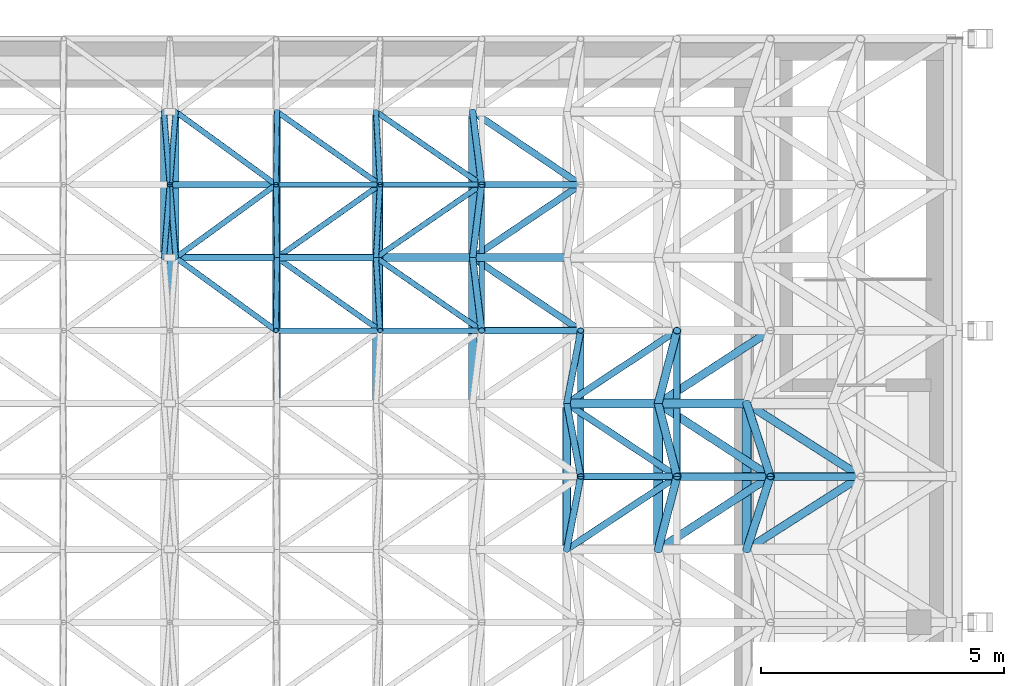
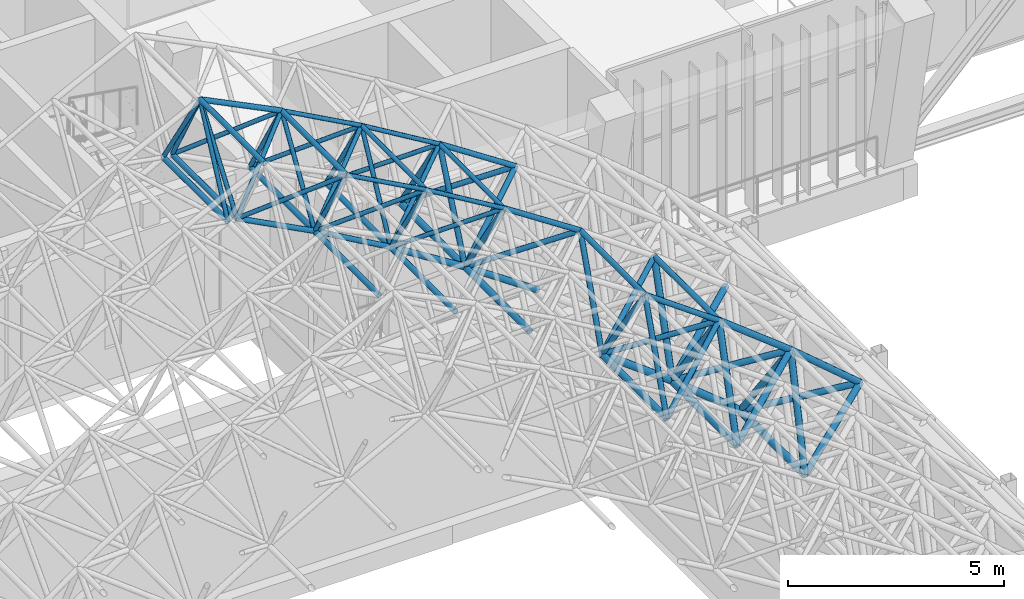
# One storey, part 27 of 141: 74 members.
"""IFC4 building model written with IfcOpenShell, lengths in metres."""

import ifcopenshell
import ifcopenshell.guid

model = None  # the IFC model being written
_history = None  # IfcOwnerHistory: only IFC2X3 demands one
_inside = {}  # id of a spatial element -> (the spatial element, [elements in it])
_under = {}  # id of a project, library or spatial element -> (it, [spatial elements below it])
_declared = {}  # id of a project -> (the project, [libraries it declares])
_typed = {}  # id of a type object -> (the type object, [elements of that type])
_made_of = {}  # id of a material, layer set ... -> (it, [elements and type objects made of it])


def new_model(schema):
    """Start an empty IFC model of exactly this schema.

    Asked for "IFC4X3", IfcOpenShell would pick the latest addendum, in which some entities
    have other attributes; the version numbers below select the first issue.
    IFC2X3 requires an IfcOwnerHistory on every rooted entity: one is made here for all.
    """
    global model, _history
    if schema == "IFC4X3":
        model = ifcopenshell.file(schema_version=(4, 3, 0, 0))
    else:
        model = ifcopenshell.file(schema=schema)
    _inside.clear()
    _under.clear()
    _declared.clear()
    _typed.clear()
    _made_of.clear()
    _history = None
    if model.schema == "IFC2X3":
        org = make("IfcOrganization", Name="unknown")
        user = make(
            "IfcPersonAndOrganization",
            ThePerson=make("IfcPerson", FamilyName="unknown"),
            TheOrganization=org,
        )
        app = make(
            "IfcApplication",
            ApplicationDeveloper=org,
            Version="unknown",
            ApplicationFullName="unknown",
            ApplicationIdentifier="unknown",
        )
        _history = make(
            "IfcOwnerHistory",
            OwningUser=user,
            OwningApplication=app,
            ChangeAction="ADDED",
            CreationDate=0,
        )
    return model


def make(cls, **values):
    """One entity of the class cls with the attributes given. An attribute that is None is left unset."""
    return model.create_entity(
        cls, **{name: value for name, value in values.items() if value is not None}
    )


def rooted(cls, **values):
    """An entity with a GlobalId (a new one), such as an element, a storey or a relation."""
    return make(cls, GlobalId=ifcopenshell.guid.new(), OwnerHistory=_history, **values)


def si_unit(unit_type, name, prefix=None):
    """IfcSIUnit, for example si_unit("LENGTHUNIT", "METRE", prefix="MILLI")."""
    return make("IfcSIUnit", UnitType=unit_type, Prefix=prefix, Name=name)


def assignment(units):
    """IfcUnitAssignment: the units of a project."""
    return None if units is None else make("IfcUnitAssignment", Units=units)


def point(xyz):
    """IfcCartesianPoint."""
    return None if xyz is None else make("IfcCartesianPoint", Coordinates=xyz)


def direction(xyz):
    """IfcDirection."""
    return None if xyz is None else make("IfcDirection", DirectionRatios=xyz)


def frame(location, z_axis=None, x_axis=None):
    """IfcAxis2Placement3D, a coordinate frame: its origin and axes. An axis left out is left unset."""
    return make(
        "IfcAxis2Placement3D",
        Location=point(location),
        Axis=direction(z_axis),
        RefDirection=direction(x_axis),
    )


def frame_2d(location, x_axis=None):
    """IfcAxis2Placement2D, a coordinate frame in the plane: its origin and x axis."""
    return make(
        "IfcAxis2Placement2D", Location=point(location), RefDirection=direction(x_axis)
    )


def origin():
    """The frame at (0, 0, 0) with its axes left unset."""
    return frame((0.0, 0.0, 0.0))


def origin_2d():
    """The frame at (0, 0) in the plane with its x axis left unset."""
    return frame_2d((0.0, 0.0))


def place(relative_to, where):
    """IfcLocalPlacement: puts the frame where relative to a parent placement (None: the world)."""
    return make(
        "IfcLocalPlacement", PlacementRelTo=relative_to, RelativePlacement=where
    )


def context(
    kind, dimensions, precision=None, world=None, true_north=None, identifier=None
):
    """IfcGeometricRepresentationContext, for example the 3D "Model" context."""
    return make(
        "IfcGeometricRepresentationContext",
        ContextIdentifier=identifier,
        ContextType=kind,
        CoordinateSpaceDimension=dimensions,
        Precision=precision,
        WorldCoordinateSystem=world,
        TrueNorth=true_north,
    )


def subcontext(parent, identifier, kind, view, scale=None):
    """IfcGeometricRepresentationSubContext, for example "Body" below "Model"."""
    return make(
        "IfcGeometricRepresentationSubContext",
        ContextIdentifier=identifier,
        ContextType=kind,
        ParentContext=parent,
        TargetScale=scale,
        TargetView=view,
    )


def project(units=None, contexts=None):
    """IfcProject with its units and contexts."""
    return rooted(
        "IfcProject",
        Name="project",
        RepresentationContexts=contexts,
        UnitsInContext=assignment(units),
    )


def spatial(cls, under=None, at=None, **own):
    """A site, building, storey or space (cls), placed at a placement, below another one or the project."""
    s = rooted(cls, ObjectPlacement=at, **own)
    if under is not None:
        _under.setdefault(under.id(), (under, []))[1].append(s)
    return s


def profile(cls, at=None, kind="AREA", **sizes):
    """A parametric profile (cls). Its sizes go by their IFC names, for example OverallWidth=200.0."""
    return make(cls, ProfileType=kind, Position=at, **sizes)


def hollow_circle(**sizes):
    """IfcCircleHollowProfileDef."""
    return profile("IfcCircleHollowProfileDef", **sizes)


def extrude(swept, where, along, depth):
    """IfcExtrudedAreaSolid: the profile swept, set in the frame where, extruded along a direction by depth."""
    return make(
        "IfcExtrudedAreaSolid",
        SweptArea=swept,
        Position=where,
        ExtrudedDirection=direction(along),
        Depth=depth,
    )


def shape(context_of_items, identifier, shape_type, items):
    """IfcShapeRepresentation: the items that make up one representation, for example the "Body"."""
    return make(
        "IfcShapeRepresentation",
        ContextOfItems=context_of_items,
        RepresentationIdentifier=identifier,
        RepresentationType=shape_type,
        Items=items,
    )


def material(Name=None, Category=None):
    """IfcMaterial."""
    return make("IfcMaterial", Name=Name, Category=Category)


def material_profile(
    of_material, cross_section, Name=None, Category=None, Priority=None
):
    """IfcMaterialProfile: a cross section and its material."""
    return make(
        "IfcMaterialProfile",
        Name=Name,
        Material=of_material,
        Profile=cross_section,
        Priority=Priority,
        Category=Category,
    )


def profile_set(profiles, Name=None, composite=None):
    """IfcMaterialProfileSet."""
    return make(
        "IfcMaterialProfileSet",
        Name=Name,
        MaterialProfiles=profiles,
        CompositeProfile=composite,
    )


def made_of(thing, what):
    """Note that an element or type object is made of a material, layer set ...; save() writes the relation."""
    if what is not None:
        _made_of.setdefault(what.id(), (what, []))[1].append(thing)
    return thing


def type_object(cls, material=None, **own):
    """A type object (cls), such as IfcWallType, which elements share."""
    return made_of(rooted(cls, **own), material)


def element(
    cls,
    number,
    at=None,
    inside=None,
    cuts=None,
    type_object=None,
    material=None,
    context=None,
    identifier="Body",
    shape_type=None,
    held_by="IfcProductDefinitionShape",
    body=None,
    shapes=None,
    **own,
):
    """One element of the class cls, such as IfcWall. Its Tag is "e" and its number.

    at: its placement. inside: the storey or other place that contains it. cuts: it is an
    opening in that element (IfcRelVoidsElement). A single representation is given by context,
    identifier, shape_type and body (its items); several are given by shapes. held_by: the class
    of the entity that holds the representations. save() writes the other relations.
    """
    e = rooted(cls, Tag="e%d" % number, ObjectPlacement=at, **own)
    if body is not None:
        shapes = [shape(context, identifier, shape_type, body)]
    if shapes is not None:
        e.Representation = make(held_by, Representations=shapes)
    if inside is not None:
        _inside.setdefault(inside.id(), (inside, []))[1].append(e)
    if cuts is not None:
        rooted(
            "IfcRelVoidsElement", RelatingBuildingElement=cuts, RelatedOpeningElement=e
        )
    if type_object is not None:
        _typed.setdefault(type_object.id(), (type_object, []))[1].append(e)
    return made_of(e, material)


def aggregate(whole, parts):
    """IfcRelAggregates: a whole, such as a stair, and the parts it consists of."""
    return rooted("IfcRelAggregates", RelatingObject=whole, RelatedObjects=parts)


def save(model, path):
    """Write the relations noted so far, then the file.

    IfcRelAggregates (storeys below a building ...), IfcRelContainedInSpatialStructure (elements
    in a storey), IfcRelDefinesByType, IfcRelAssociatesMaterial and IfcRelDeclares: one each for
    every whole, place, type object, material and project.
    """
    for whole, parts in _under.values():
        aggregate(whole, parts)
    for where, things in _inside.values():
        rooted(
            "IfcRelContainedInSpatialStructure",
            RelatedElements=things,
            RelatingStructure=where,
        )
    for kind, things in _typed.values():
        rooted("IfcRelDefinesByType", RelatedObjects=things, RelatingType=kind)
    for what, things in _made_of.values():
        rooted("IfcRelAssociatesMaterial", RelatedObjects=things, RelatingMaterial=what)
    for by, libraries in _declared.values():
        rooted("IfcRelDeclares", RelatingContext=by, RelatedDefinitions=libraries)
    model.write(path)


model = new_model("IFC4")

# Units and contexts
model_context = context("Model", 3, precision=1e-05, world=origin(), true_north=direction((0.0, 1.0)))
body_context = subcontext(model_context, "Body", "Model", "MODEL_VIEW")
ifc_project = project(units=[si_unit("LENGTHUNIT", "METRE"), si_unit("AREAUNIT", "SQUARE_METRE"), si_unit("VOLUMEUNIT", "CUBIC_METRE"), si_unit("PLANEANGLEUNIT", "RADIAN"), si_unit("MASSUNIT", "GRAM", prefix="KILO")], contexts=[model_context])

# Site, building, storey
site_placement = place(None, origin())
site = spatial("IfcSite", under=ifc_project, at=site_placement, CompositionType="ELEMENT")
building_placement = place(site_placement, origin())
building = spatial("IfcBuilding", under=site, at=building_placement, Name="Lantern Court Media Centre", CompositionType="ELEMENT")
storey_placement = place(building_placement, frame((0.0, 0.0, 9.60009765625)))
storey = spatial("IfcBuildingStorey", under=building, at=storey_placement, Name="L02", CompositionType="ELEMENT", Elevation=9.60009765625)

# Members
ifc_material = material(Name="Steel S355J2 (EN 10025-2)", Category="steel")
ifc_material_profile_1 = material_profile(ifc_material, hollow_circle(Radius=0.06982421875, WallThickness=0.0048828125, at=origin_2d()), Name="Cinema Hall bottom CHS 139.7x5")
ifc_profile_set_1 = profile_set([ifc_material_profile_1], Name="Steel S355J2 (EN 10025-2)")
member_type_1 = type_object("IfcMemberType", Name="Cinema Hall bottom CHS 139.7x5", PredefinedType="CHORD", material=ifc_profile_set_1)
for number, where, z_axis, x_axis, name in (
    (1, (15.87939453125, 35.5, 13.298583984375), (0.0, 1.0, 0.0), (-1.0, 0.0, 0.0), "Cinema Hall bottom chord 08-13"),
    (2, (16.12060546875, 35.5, 13.298583984375), (0.0, 1.0, 0.0), (-1.0, 0.0, 0.0), "Cinema Hall bottom chord 09-13"),
):
    element("IfcMember", number, at=place(storey_placement, frame(where, z_axis=z_axis, x_axis=x_axis)), inside=storey, type_object=member_type_1, Name=name, PredefinedType="CHORD", context=body_context, shape_type="SweptSolid", body=[
        extrude(hollow_circle(Radius=0.06982421875, WallThickness=0.0048828125, at=origin_2d()), origin(), (0.0, 0.0, 1.0), 3.0),
    ])
ifc_material_profile_2 = material_profile(ifc_material, hollow_circle(Radius=0.06982421875, WallThickness=0.00634765625, at=origin_2d()), Name="Cinema Hall bottom CHS 139.7x6.3")
ifc_profile_set_2 = profile_set([ifc_material_profile_2], Name="Steel S355J2 (EN 10025-2)")
member_type_2 = type_object("IfcMemberType", Name="Cinema Hall bottom CHS 139.7x6.3", PredefinedType="CHORD", material=ifc_profile_set_2)
for number, where, z_axis, x_axis, name in (
    (3, (18.203125, 32.5, 12.21337890625), (0.0, 1.0, 0.0), (-1.0, 0.0, 0.0), "Cinema Hall bottom chord 10-12"),
    (4, (20.23974609375, 32.5, 11.04443359375), (0.0, 1.0, 0.0), (-1.0, 0.0, 0.0), "Cinema Hall bottom chord 11-12"),
    (5, (18.203125, 35.5, 12.21337890625), (0.0, 1.0, 0.0), (-1.0, 0.0, 0.0), "Cinema Hall bottom chord 10-13"),
    (6, (20.23974609375, 35.5, 11.04443359375), (0.0, 1.0, 0.0), (-1.0, 0.0, 0.0), "Cinema Hall bottom chord 11-13"),
):
    element("IfcMember", number, at=place(storey_placement, frame(where, z_axis=z_axis, x_axis=x_axis)), inside=storey, type_object=member_type_2, Name=name, PredefinedType="CHORD", context=body_context, shape_type="SweptSolid", body=[
        extrude(hollow_circle(Radius=0.06982421875, WallThickness=0.00634765625, at=origin_2d()), origin(), (0.0, 0.0, 1.0), 3.0),
    ])
member_1_placement = place(storey_placement, frame((16.12060546875, 35.5, 13.298583984375), z_axis=(0.88681645353, 0.0, -0.462121821329), x_axis=(0.0, 1.0, 0.0)))
element("IfcMember", 7, at=member_1_placement, inside=storey, type_object=member_type_2, Name="Cinema Hall bottom chord 09-13 across", PredefinedType="CHORD", context=body_context, shape_type="SweptSolid", body=[
    extrude(hollow_circle(Radius=0.06982421875, WallThickness=0.00634765625, at=origin_2d()), origin(), (0.0, 0.0, 1.0), 2.348388671875),
])
member_2_placement = place(storey_placement, frame((18.203125, 35.5, 12.21337890625), z_axis=(0.867294659253, 0.0, -0.497795112503), x_axis=(0.0, 1.0, 0.0)))
element("IfcMember", 8, at=member_2_placement, inside=storey, type_object=member_type_2, Name="Cinema Hall bottom chord 10-13 across", PredefinedType="CHORD", context=body_context, shape_type="SweptSolid", body=[
    extrude(hollow_circle(Radius=0.06982421875, WallThickness=0.00634765625, at=origin_2d()), origin(), (0.0, 0.0, 1.0), 2.34814453125),
])
ifc_material_profile_3 = material_profile(ifc_material, hollow_circle(Radius=0.084228515625, WallThickness=0.00634765625, at=origin_2d()), Name="Cinema Hall bottom CHS 168.3x6.3")
ifc_profile_set_3 = profile_set([ifc_material_profile_3], Name="Steel S355J2 (EN 10025-2)")
member_type_3 = type_object("IfcMemberType", Name="Cinema Hall bottom CHS 168.3x6.3", PredefinedType="CHORD", material=ifc_profile_set_3)
for number, where, z_axis, x_axis, name in (
    (9, (22.227294921875, 32.5, 9.7939453125), (0.0, 1.0, 0.0), (-1.0, 0.0, 0.0), "Cinema Hall bottom chord 12-12"),
    (10, (22.227294921875, 35.5, 9.7939453125), (0.0, 1.0, 0.0), (-1.0, 0.0, 0.0), "Cinema Hall bottom chord 12-13"),
):
    element("IfcMember", number, at=place(storey_placement, frame(where, z_axis=z_axis, x_axis=x_axis)), inside=storey, type_object=member_type_3, Name=name, PredefinedType="CHORD", context=body_context, shape_type="SweptSolid", body=[
        extrude(hollow_circle(Radius=0.084228515625, WallThickness=0.00634765625, at=origin_2d()), origin(), (0.0, 0.0, 1.0), 3.0),
    ])
member_3_placement = place(storey_placement, frame((20.23974609375, 35.5, 11.04443359375), z_axis=(0.846411623189, 0.0, -0.532529214344), x_axis=(0.0, 1.0, 0.0)))
element("IfcMember", 11, at=member_3_placement, inside=storey, type_object=member_type_3, Name="Cinema Hall bottom chord 11-13 across", PredefinedType="CHORD", context=body_context, shape_type="SweptSolid", body=[
    extrude(hollow_circle(Radius=0.084228515625, WallThickness=0.00634765625, at=origin_2d()), origin(), (0.0, 0.0, 1.0), 2.34814453125),
])
ifc_material_profile_4 = material_profile(ifc_material, hollow_circle(Radius=0.084228515625, WallThickness=0.008056640625, at=origin_2d()), Name="Cinema Hall bottom CHS 168.3x8")
ifc_profile_set_4 = profile_set([ifc_material_profile_4], Name="Steel S355J2 (EN 10025-2)")
member_type_4 = type_object("IfcMemberType", Name="Cinema Hall bottom CHS 168.3x8", PredefinedType="CHORD", material=ifc_profile_set_4)
member_4_placement = place(storey_placement, frame((24.162353515625, 29.5, 8.463623046875), z_axis=(0.0, 1.0, 0.0), x_axis=(-1.0, 0.0, 0.0)))
element("IfcMember", 12, at=member_4_placement, inside=storey, type_object=member_type_4, Name="Cinema Hall bottom chord 13-11", PredefinedType="CHORD", context=body_context, shape_type="SweptSolid", body=[
    extrude(hollow_circle(Radius=0.084228515625, WallThickness=0.008056640625, at=origin_2d()), origin(), (0.0, 0.0, 1.0), 3.0),
])
member_5_placement = place(storey_placement, frame((22.227294921875, 35.5, 9.7939453125), z_axis=(0.824047991233, 0.0, -0.56651999801), x_axis=(0.0, 1.0, 0.0)))
element("IfcMember", 13, at=member_5_placement, inside=storey, type_object=member_type_4, Name="Cinema Hall bottom chord 12-13 across", PredefinedType="CHORD", context=body_context, shape_type="SweptSolid", body=[
    extrude(hollow_circle(Radius=0.084228515625, WallThickness=0.008056640625, at=origin_2d()), origin(), (0.0, 0.0, 1.0), 2.34814453125),
])
ifc_material_profile_5 = material_profile(ifc_material, hollow_circle(Radius=0.096923828125, WallThickness=0.010009765625, at=origin_2d()), Name="Cinema Hall bottom CHS 193.7x10")
ifc_profile_set_5 = profile_set([ifc_material_profile_5], Name="Steel S355J2 (EN 10025-2)")
member_type_5 = type_object("IfcMemberType", Name="Cinema Hall bottom CHS 193.7x10", PredefinedType="CHORD", material=ifc_profile_set_5)
member_6_placement = place(storey_placement, frame((27.8623046875, 29.5, 5.57275390625), z_axis=(0.0, 1.0, 0.0), x_axis=(-1.0, 0.0, 0.0)))
element("IfcMember", 14, at=member_6_placement, inside=storey, type_object=member_type_5, Name="Cinema Hall bottom chord 15-11", PredefinedType="CHORD", context=body_context, shape_type="SweptSolid", body=[
    extrude(hollow_circle(Radius=0.096923828125, WallThickness=0.010009765625, at=origin_2d()), origin(), (0.0, 0.0, 1.0), 3.0),
])
member_7_placement = place(storey_placement, frame((26.041748046875, 32.5, 7.0556640625), z_axis=(0.775340578175, 0.0, -0.63154333805), x_axis=(0.0, 1.0, 0.0)))
element("IfcMember", 15, at=member_7_placement, inside=storey, type_object=member_type_5, Name="Cinema Hall bottom chord 14-12 across", PredefinedType="CHORD", context=body_context, shape_type="SweptSolid", body=[
    extrude(hollow_circle(Radius=0.096923828125, WallThickness=0.010009765625, at=origin_2d()), origin(), (0.0, 0.0, 1.0), 2.34814453125),
])
ifc_material_profile_6 = material_profile(ifc_material, hollow_circle(Radius=0.096923828125, WallThickness=0.008056640625, at=origin_2d()), Name="Cinema Hall bottom CHS 193.7x8")
ifc_profile_set_6 = profile_set([ifc_material_profile_6], Name="Steel S355J2 (EN 10025-2)")
member_type_6 = type_object("IfcMemberType", Name="Cinema Hall bottom CHS 193.7x8", PredefinedType="CHORD", material=ifc_profile_set_6)
member_8_placement = place(storey_placement, frame((26.041748046875, 29.5, 7.0556640625), z_axis=(0.0, 1.0, 0.0), x_axis=(-1.0, 0.0, 0.0)))
element("IfcMember", 16, at=member_8_placement, inside=storey, type_object=member_type_6, Name="Cinema Hall bottom chord 14-11", PredefinedType="CHORD", context=body_context, shape_type="SweptSolid", body=[
    extrude(hollow_circle(Radius=0.096923828125, WallThickness=0.008056640625, at=origin_2d()), origin(), (0.0, 0.0, 1.0), 3.0),
])
member_9_placement = place(storey_placement, frame((24.162353515625, 32.5, 8.463623046875), z_axis=(0.800324254575, 0.0, -0.599567417009), x_axis=(0.0, 1.0, 0.0)))
element("IfcMember", 17, at=member_9_placement, inside=storey, type_object=member_type_6, Name="Cinema Hall bottom chord 13-12 across", PredefinedType="CHORD", context=body_context, shape_type="SweptSolid", body=[
    extrude(hollow_circle(Radius=0.096923828125, WallThickness=0.008056640625, at=origin_2d()), origin(), (0.0, 0.0, 1.0), 2.348388671875),
])
ifc_material_profile_7 = material_profile(ifc_material, hollow_circle(Radius=0.05712890625, WallThickness=0.0048828125, at=origin_2d()), Name="Cinema Hall diagonal CHS 114.3x5")
ifc_profile_set_7 = profile_set([ifc_material_profile_7], Name="Steel S355J2 (EN 10025-2)")
member_type_7 = type_object("IfcMemberType", Name="Cinema Hall diagonal CHS 114.3x5", PredefinedType="BRACE", material=ifc_profile_set_7)
member_10_placement = place(storey_placement, frame((15.87939453125, 35.5, 13.298583984375), z_axis=(0.041317175069, 0.513871910171, 0.85687137365), x_axis=(-0.996783215266, 0.080145004613, 0.0)))
element("IfcMember", 18, at=member_10_placement, inside=storey, type_object=member_type_7, Name="Cinema Hall diagonal 08-13-3", PredefinedType="BRACE", context=body_context, shape_type="SweptSolid", body=[
    extrude(hollow_circle(Radius=0.05712890625, WallThickness=0.0048828125, at=origin_2d()), origin(), (0.0, 0.0, 1.0), 2.9189453125),
])
for number, where, z_axis, x_axis, name in (
    (19, (16.12060546875, 35.5, 13.298583984375), (0.706879781117, -0.513851085564, 0.486084392789), (0.587989591395, 0.808868493892, 0.0), "Cinema Hall diagonal 09-13-2"),
    (20, (16.12060546875, 35.5, 13.298583984375), (0.706879781117, 0.513851085564, 0.486084392789), (-0.587989591395, 0.808868493892, 0.0), "Cinema Hall diagonal 09-13-3"),
):
    element("IfcMember", number, at=place(storey_placement, frame(where, z_axis=z_axis, x_axis=x_axis)), inside=storey, type_object=member_type_7, Name=name, PredefinedType="BRACE", context=body_context, shape_type="SweptSolid", body=[
        extrude(hollow_circle(Radius=0.05712890625, WallThickness=0.0048828125, at=origin_2d()), origin(), (0.0, 0.0, 1.0), 2.919189453125),
    ])
for number, where, z_axis, x_axis, name in (
    (21, (16.12060546875, 35.5, 13.298583984375), (-0.041317175069, 0.513871910171, 0.85687137365), (-0.996783215266, -0.080145004613, 0.0), "Cinema Hall diagonal 09-13-4"),
    (22, (15.87939453125, 38.5, 13.298583984375), (0.041317175069, -0.513871910171, 0.85687137365), (0.996783215266, 0.080145004613, 0.0), "Cinema Hall diagonal 08-14-2"),
    (23, (16.12060546875, 38.5, 13.298583984375), (-0.041317175069, -0.513871910171, 0.85687137365), (0.996783215266, -0.080145004613, 0.0), "Cinema Hall diagonal 09-14-1"),
):
    element("IfcMember", number, at=place(storey_placement, frame(where, z_axis=z_axis, x_axis=x_axis)), inside=storey, type_object=member_type_7, Name=name, PredefinedType="BRACE", context=body_context, shape_type="SweptSolid", body=[
        extrude(hollow_circle(Radius=0.05712890625, WallThickness=0.0048828125, at=origin_2d()), origin(), (0.0, 0.0, 1.0), 2.9189453125),
    ])
member_11_placement = place(storey_placement, frame((16.12060546875, 38.5, 13.298583984375), z_axis=(0.706879781117, -0.513851085564, 0.486084392789), x_axis=(0.587989591395, 0.808868493892, 0.0)))
element("IfcMember", 24, at=member_11_placement, inside=storey, type_object=member_type_7, Name="Cinema Hall diagonal 09-14-2", PredefinedType="BRACE", context=body_context, shape_type="SweptSolid", body=[
    extrude(hollow_circle(Radius=0.05712890625, WallThickness=0.0048828125, at=origin_2d()), origin(), (0.0, 0.0, 1.0), 2.919189453125),
])
ifc_material_profile_8 = material_profile(ifc_material, hollow_circle(Radius=0.05712890625, WallThickness=0.00634765625, at=origin_2d()), Name="Cinema Hall diagonal CHS 114.3x6.3")
ifc_profile_set_8 = profile_set([ifc_material_profile_8], Name="Steel S355J2 (EN 10025-2)")
member_type_8 = type_object("IfcMemberType", Name="Cinema Hall diagonal CHS 114.3x6.3", PredefinedType="BRACE", material=ifc_profile_set_8)
for number, where, z_axis, x_axis, name in (
    (25, (18.203125, 35.5, 12.21337890625), (-0.006523580306, -0.513857402591, 0.857850810283), (0.99991942426, -0.012694289566, 0.0), "Cinema Hall diagonal 10-13-1"),
    (26, (18.203125, 35.5, 12.21337890625), (0.726033609038, -0.513852147671, 0.456980490702), (0.577701627838, 0.816248019411, 0.0), "Cinema Hall diagonal 10-13-2"),
    (27, (18.203125, 35.5, 12.21337890625), (0.726033609038, 0.513852147671, 0.456980490702), (-0.577701627838, 0.816248019411, 0.0), "Cinema Hall diagonal 10-13-3"),
    (28, (18.203125, 35.5, 12.21337890625), (-0.006523580306, 0.513857402591, 0.857850810283), (-0.99991942426, -0.012694289566, 0.0), "Cinema Hall diagonal 10-13-4"),
    (29, (20.23974609375, 35.5, 11.04443359375), (0.028351859734, -0.513846095007, 0.857413763999), (0.998481283351, 0.055091984872, 0.0), "Cinema Hall diagonal 11-13-1"),
    (30, (20.23974609375, 35.5, 11.04443359375), (0.744001537395, -0.513842788417, 0.427115091218), (0.568286154794, 0.822830994962, 0.0), "Cinema Hall diagonal 11-13-2"),
    (31, (20.23974609375, 35.5, 11.04443359375), (0.744001537395, 0.513842788417, 0.427115091218), (-0.568286154794, 0.822830994962, 0.0), "Cinema Hall diagonal 11-13-3"),
    (32, (20.23974609375, 35.5, 11.04443359375), (0.028351859734, 0.513846095007, 0.857413763999), (-0.998481283351, 0.055091984872, 0.0), "Cinema Hall diagonal 11-13-4"),
    (33, (18.203125, 38.5, 12.21337890625), (-0.006523580306, -0.513857402591, 0.857850810283), (0.99991942426, -0.012694289566, 0.0), "Cinema Hall diagonal 10-14-1"),
    (34, (18.203125, 38.5, 12.21337890625), (0.726033609038, -0.513852147671, 0.456980490702), (0.577701627838, 0.816248019411, 0.0), "Cinema Hall diagonal 10-14-2"),
    (35, (20.23974609375, 38.5, 11.04443359375), (0.028351859734, -0.513846095007, 0.857413763999), (0.998481283351, 0.055091984872, 0.0), "Cinema Hall diagonal 11-14-1"),
    (36, (20.23974609375, 38.5, 11.04443359375), (0.744001537395, -0.513842788417, 0.427115091218), (0.568286154794, 0.822830994962, 0.0), "Cinema Hall diagonal 11-14-2"),
):
    element("IfcMember", number, at=place(storey_placement, frame(where, z_axis=z_axis, x_axis=x_axis)), inside=storey, type_object=member_type_8, Name=name, PredefinedType="BRACE", context=body_context, shape_type="SweptSolid", body=[
        extrude(hollow_circle(Radius=0.05712890625, WallThickness=0.00634765625, at=origin_2d()), origin(), (0.0, 0.0, 1.0), 2.919189453125),
    ])
ifc_material_profile_9 = material_profile(ifc_material, hollow_circle(Radius=0.06982421875, WallThickness=0.00634765625, at=origin_2d()), Name="Cinema Hall diagonal CHS 139.7x6.3")
ifc_profile_set_9 = profile_set([ifc_material_profile_9], Name="Steel S355J2 (EN 10025-2)")
member_type_9 = type_object("IfcMemberType", Name="Cinema Hall diagonal CHS 139.7x6.3", PredefinedType="BRACE", material=ifc_profile_set_9)
member_12_placement = place(storey_placement, frame((22.227294921875, 35.5, 9.7939453125), z_axis=(0.063147046974, -0.513874776966, 0.855537938409), x_axis=(0.992534194664, 0.121966685705, 0.0)))
element("IfcMember", 37, at=member_12_placement, inside=storey, type_object=member_type_9, Name="Cinema Hall diagonal 12-13-1", PredefinedType="BRACE", context=body_context, shape_type="SweptSolid", body=[
    extrude(hollow_circle(Radius=0.06982421875, WallThickness=0.00634765625, at=origin_2d()), origin(), (0.0, 0.0, 1.0), 2.9189453125),
])
for number, where, z_axis, x_axis, name in (
    (38, (22.227294921875, 35.5, 9.7939453125), (0.760744068819, -0.513853513503, 0.396513591718), (0.559735691147, 0.828671199003, 0.0), "Cinema Hall diagonal 12-13-2"),
    (39, (22.227294921875, 35.5, 9.7939453125), (0.760744068819, 0.513853513503, 0.396513591718), (-0.559735691147, 0.828671199003, 0.0), "Cinema Hall diagonal 12-13-3"),
):
    element("IfcMember", number, at=place(storey_placement, frame(where, z_axis=z_axis, x_axis=x_axis)), inside=storey, type_object=member_type_9, Name=name, PredefinedType="BRACE", context=body_context, shape_type="SweptSolid", body=[
        extrude(hollow_circle(Radius=0.06982421875, WallThickness=0.00634765625, at=origin_2d()), origin(), (0.0, 0.0, 1.0), 2.919189453125),
    ])
for number, where, z_axis, x_axis, name in (
    (40, (22.227294921875, 35.5, 9.7939453125), (0.063147046974, 0.513874776966, 0.855537938409), (-0.992534194664, 0.121966685705, 0.0), "Cinema Hall diagonal 12-13-4"),
    (41, (22.227294921875, 38.5, 9.7939453125), (0.063147046974, -0.513874776966, 0.855537938409), (0.992534194664, 0.121966685705, 0.0), "Cinema Hall diagonal 12-14-1"),
):
    element("IfcMember", number, at=place(storey_placement, frame(where, z_axis=z_axis, x_axis=x_axis)), inside=storey, type_object=member_type_9, Name=name, PredefinedType="BRACE", context=body_context, shape_type="SweptSolid", body=[
        extrude(hollow_circle(Radius=0.06982421875, WallThickness=0.00634765625, at=origin_2d()), origin(), (0.0, 0.0, 1.0), 2.9189453125),
    ])
member_13_placement = place(storey_placement, frame((22.227294921875, 38.5, 9.7939453125), z_axis=(0.760744068819, -0.513853513503, 0.396513591718), x_axis=(0.559735691147, 0.828671199003, 0.0)))
element("IfcMember", 42, at=member_13_placement, inside=storey, type_object=member_type_9, Name="Cinema Hall diagonal 12-14-2", PredefinedType="BRACE", context=body_context, shape_type="SweptSolid", body=[
    extrude(hollow_circle(Radius=0.06982421875, WallThickness=0.00634765625, at=origin_2d()), origin(), (0.0, 0.0, 1.0), 2.919189453125),
])
ifc_material_profile_10 = material_profile(ifc_material, hollow_circle(Radius=0.06982421875, WallThickness=0.008056640625, at=origin_2d()), Name="Cinema Hall diagonal CHS 139.7x8")
ifc_profile_set_10 = profile_set([ifc_material_profile_10], Name="Steel S355J2 (EN 10025-2)")
member_type_10 = type_object("IfcMemberType", Name="Cinema Hall diagonal CHS 139.7x8", PredefinedType="BRACE", material=ifc_profile_set_10)
member_14_placement = place(storey_placement, frame((24.162353515625, 29.5, 8.463623046875), z_axis=(0.776210877705, 0.513849761084, 0.365315064521), x_axis=(-0.552001963744, 0.833842810141, 0.0)))
element("IfcMember", 43, at=member_14_placement, inside=storey, type_object=member_type_10, Name="Cinema Hall diagonal 13-11-3", PredefinedType="BRACE", context=body_context, shape_type="SweptSolid", body=[
    extrude(hollow_circle(Radius=0.06982421875, WallThickness=0.008056640625, at=origin_2d()), origin(), (0.0, 0.0, 1.0), 2.919189453125),
])
for number, where, z_axis, x_axis, name in (
    (44, (24.162353515625, 29.5, 8.463623046875), (0.09785614588, 0.51387022247, 0.852268484207), (-0.982346962135, 0.187068025016, 0.0), "Cinema Hall diagonal 13-11-4"),
    (45, (24.162353515625, 32.5, 8.463623046875), (0.09785614588, -0.51387022247, 0.852268484207), (0.982346962135, 0.187068025016, 0.0), "Cinema Hall diagonal 13-12-1"),
):
    element("IfcMember", number, at=place(storey_placement, frame(where, z_axis=z_axis, x_axis=x_axis)), inside=storey, type_object=member_type_10, Name=name, PredefinedType="BRACE", context=body_context, shape_type="SweptSolid", body=[
        extrude(hollow_circle(Radius=0.06982421875, WallThickness=0.008056640625, at=origin_2d()), origin(), (0.0, 0.0, 1.0), 2.9189453125),
    ])
for number, where, z_axis, x_axis, name in (
    (46, (24.162353515625, 32.5, 8.463623046875), (0.776210877705, -0.513849761084, 0.365315064521), (0.552001963744, 0.833842810141, 0.0), "Cinema Hall diagonal 13-12-2"),
    (47, (24.162353515625, 32.5, 8.463623046875), (0.776210877705, 0.513849761084, 0.365315064521), (-0.552001963744, 0.833842810141, 0.0), "Cinema Hall diagonal 13-12-3"),
):
    element("IfcMember", number, at=place(storey_placement, frame(where, z_axis=z_axis, x_axis=x_axis)), inside=storey, type_object=member_type_10, Name=name, PredefinedType="BRACE", context=body_context, shape_type="SweptSolid", body=[
        extrude(hollow_circle(Radius=0.06982421875, WallThickness=0.008056640625, at=origin_2d()), origin(), (0.0, 0.0, 1.0), 2.919189453125),
    ])
member_15_placement = place(storey_placement, frame((24.162353515625, 32.5, 8.463623046875), z_axis=(0.09785614588, 0.51387022247, 0.852268484207), x_axis=(-0.982346962135, 0.187068025016, 0.0)))
element("IfcMember", 48, at=member_15_placement, inside=storey, type_object=member_type_10, Name="Cinema Hall diagonal 13-12-4", PredefinedType="BRACE", context=body_context, shape_type="SweptSolid", body=[
    extrude(hollow_circle(Radius=0.06982421875, WallThickness=0.008056640625, at=origin_2d()), origin(), (0.0, 0.0, 1.0), 2.9189453125),
])
ifc_material_profile_11 = material_profile(ifc_material, hollow_circle(Radius=0.084228515625, WallThickness=0.010009765625, at=origin_2d()), Name="Cinema Hall diagonal CHS 168.3x10")
ifc_profile_set_11 = profile_set([ifc_material_profile_11], Name="Steel S355J2 (EN 10025-2)")
member_type_11 = type_object("IfcMemberType", Name="Cinema Hall diagonal CHS 168.3x10", PredefinedType="BRACE", material=ifc_profile_set_11)
member_16_placement = place(storey_placement, frame((27.8623046875, 29.5, 5.57275390625), z_axis=(0.803309435106, 0.513850408047, 0.301084223465), x_axis=(-0.538854579896, 0.842398802068, 0.0)))
element("IfcMember", 49, at=member_16_placement, inside=storey, type_object=member_type_11, Name="Cinema Hall diagonal 15-11-3", PredefinedType="BRACE", context=body_context, shape_type="SweptSolid", body=[
    extrude(hollow_circle(Radius=0.084228515625, WallThickness=0.010009765625, at=origin_2d()), origin(), (0.0, 0.0, 1.0), 2.919189453125),
])
for number, where, z_axis, x_axis, name in (
    (50, (27.8623046875, 29.5, 5.57275390625), (0.166695380465, 0.513886812634, 0.841506383774), (-0.951206854862, 0.308553916299, 0.0), "Cinema Hall diagonal 15-11-4"),
    (51, (27.8623046875, 32.5, 5.57275390625), (0.166695380465, -0.513886812634, 0.841506383774), (0.951206854862, 0.308553916299, 0.0), "Cinema Hall diagonal 15-12-1"),
):
    element("IfcMember", number, at=place(storey_placement, frame(where, z_axis=z_axis, x_axis=x_axis)), inside=storey, type_object=member_type_11, Name=name, PredefinedType="BRACE", context=body_context, shape_type="SweptSolid", body=[
        extrude(hollow_circle(Radius=0.084228515625, WallThickness=0.010009765625, at=origin_2d()), origin(), (0.0, 0.0, 1.0), 2.9189453125),
    ])
member_17_placement = place(storey_placement, frame((27.8623046875, 32.5, 5.57275390625), z_axis=(0.803309435106, -0.513850408047, 0.301084223465), x_axis=(0.538854579896, 0.842398802068, 0.0)))
element("IfcMember", 52, at=member_17_placement, inside=storey, type_object=member_type_11, Name="Cinema Hall diagonal 15-12-2", PredefinedType="BRACE", context=body_context, shape_type="SweptSolid", body=[
    extrude(hollow_circle(Radius=0.084228515625, WallThickness=0.010009765625, at=origin_2d()), origin(), (0.0, 0.0, 1.0), 2.919189453125),
])
ifc_material_profile_12 = material_profile(ifc_material, hollow_circle(Radius=0.084228515625, WallThickness=0.008056640625, at=origin_2d()), Name="Cinema Hall diagonal CHS 168.3x8")
ifc_profile_set_12 = profile_set([ifc_material_profile_12], Name="Steel S355J2 (EN 10025-2)")
member_type_12 = type_object("IfcMemberType", Name="Cinema Hall diagonal CHS 168.3x8", PredefinedType="BRACE", material=ifc_profile_set_12)
member_18_placement = place(storey_placement, frame((26.041748046875, 29.5, 7.0556640625), z_axis=(0.790394065187, 0.513881601747, 0.333471019884), x_axis=(-0.545081898441, 0.838382802777, 0.0)))
element("IfcMember", 53, at=member_18_placement, inside=storey, type_object=member_type_12, Name="Cinema Hall diagonal 14-11-3", PredefinedType="BRACE", context=body_context, shape_type="SweptSolid", body=[
    extrude(hollow_circle(Radius=0.084228515625, WallThickness=0.008056640625, at=origin_2d()), origin(), (0.0, 0.0, 1.0), 2.9189453125),
])
for number, where, z_axis, x_axis, name in (
    (54, (26.041748046875, 29.5, 7.0556640625), (0.132389678542, 0.513835871739, 0.847611744804), (-0.968374432366, 0.249501420318, 0.0), "Cinema Hall diagonal 14-11-4"),
    (55, (26.041748046875, 32.5, 7.0556640625), (0.132389678542, -0.513835871739, 0.847611744804), (0.968374432366, 0.249501420318, 0.0), "Cinema Hall diagonal 14-12-1"),
):
    element("IfcMember", number, at=place(storey_placement, frame(where, z_axis=z_axis, x_axis=x_axis)), inside=storey, type_object=member_type_12, Name=name, PredefinedType="BRACE", context=body_context, shape_type="SweptSolid", body=[
        extrude(hollow_circle(Radius=0.084228515625, WallThickness=0.008056640625, at=origin_2d()), origin(), (0.0, 0.0, 1.0), 2.919189453125),
    ])
for number, where, z_axis, x_axis, name in (
    (56, (26.041748046875, 32.5, 7.0556640625), (0.790394065187, -0.513881601747, 0.333471019884), (0.545081898441, 0.838382802777, 0.0), "Cinema Hall diagonal 14-12-2"),
    (57, (26.041748046875, 32.5, 7.0556640625), (0.790394065187, 0.513881601747, 0.333471019884), (-0.545081898441, 0.838382802777, 0.0), "Cinema Hall diagonal 14-12-3"),
):
    element("IfcMember", number, at=place(storey_placement, frame(where, z_axis=z_axis, x_axis=x_axis)), inside=storey, type_object=member_type_12, Name=name, PredefinedType="BRACE", context=body_context, shape_type="SweptSolid", body=[
        extrude(hollow_circle(Radius=0.084228515625, WallThickness=0.008056640625, at=origin_2d()), origin(), (0.0, 0.0, 1.0), 2.9189453125),
    ])
member_19_placement = place(storey_placement, frame((26.041748046875, 32.5, 7.0556640625), z_axis=(0.132389678542, 0.513835871739, 0.847611744804), x_axis=(-0.968374432366, 0.249501420318, 0.0)))
element("IfcMember", 58, at=member_19_placement, inside=storey, type_object=member_type_12, Name="Cinema Hall diagonal 14-12-4", PredefinedType="BRACE", context=body_context, shape_type="SweptSolid", body=[
    extrude(hollow_circle(Radius=0.084228515625, WallThickness=0.008056640625, at=origin_2d()), origin(), (0.0, 0.0, 1.0), 2.919189453125),
])
ifc_material_profile_13 = material_profile(ifc_material, hollow_circle(Radius=0.05712890625, WallThickness=0.00634765625, at=origin_2d()), Name="Cinema Hall top CHS 114.3x6.3")
ifc_profile_set_13 = profile_set([ifc_material_profile_13], Name="Steel S355J2 (EN 10025-2)")
member_type_13 = type_object("IfcMemberType", Name="Cinema Hall top CHS 114.3x6.3", PredefinedType="CHORD", material=ifc_profile_set_13)
for number, where, z_axis, x_axis, name in (
    (59, (20.322509765625, 34.0, 13.54736328125), (0.0, 1.0, 0.0), (-1.0, 0.0, 0.0), "Cinema Hall top chord 11-13"),
    (60, (22.41162109375, 34.0, 12.291259765625), (0.0, 1.0, 0.0), (-1.0, 0.0, 0.0), "Cinema Hall top chord 12-13"),
):
    element("IfcMember", number, at=place(storey_placement, frame(where, z_axis=z_axis, x_axis=x_axis)), inside=storey, type_object=member_type_13, Name=name, PredefinedType="CHORD", context=body_context, shape_type="SweptSolid", body=[
        extrude(hollow_circle(Radius=0.05712890625, WallThickness=0.00634765625, at=origin_2d()), origin(), (0.0, 0.0, 1.0), 3.0),
    ])
for number, where, z_axis, x_axis, name in (
    (61, (18.18408203125, 34.0, 14.717529296875), (0.87724791815, 0.0, -0.480037592384), (0.0, 1.0, 0.0), "Cinema Hall top chord 10-13 across"),
    (62, (20.322509765625, 34.0, 13.54736328125), (0.857015353865, 0.0, -0.515290872459), (0.0, 1.0, 0.0), "Cinema Hall top chord 11-13 across"),
    (63, (18.18408203125, 37.0, 14.717529296875), (0.87724791815, 0.0, -0.480037592384), (0.0, 1.0, 0.0), "Cinema Hall top chord 10-14 across"),
    (64, (20.322509765625, 37.0, 13.54736328125), (0.857015353865, 0.0, -0.515290872459), (0.0, 1.0, 0.0), "Cinema Hall top chord 11-14 across"),
):
    element("IfcMember", number, at=place(storey_placement, frame(where, z_axis=z_axis, x_axis=x_axis)), inside=storey, type_object=member_type_13, Name=name, PredefinedType="CHORD", context=body_context, shape_type="SweptSolid", body=[
        extrude(hollow_circle(Radius=0.05712890625, WallThickness=0.00634765625, at=origin_2d()), origin(), (0.0, 0.0, 1.0), 2.437744140625),
    ])
ifc_material_profile_14 = material_profile(ifc_material, hollow_circle(Radius=0.06982421875, WallThickness=0.0048828125, at=origin_2d()), Name="Cinema Hall top CHS 139.7x5")
ifc_profile_set_14 = profile_set([ifc_material_profile_14], Name="Steel S355J2 (EN 10025-2)")
member_type_14 = type_object("IfcMemberType", Name="Cinema Hall top CHS 139.7x5", PredefinedType="CHORD", material=ifc_profile_set_14)
for number, where, z_axis, x_axis, name in (
    (65, (16.0, 34.0, 15.7998046875), (0.0, 1.0, 0.0), (-1.0, 0.0, 0.0), "Cinema Hall top chord 09-13"),
    (66, (18.18408203125, 34.0, 14.717529296875), (0.0, 1.0, 0.0), (-1.0, 0.0, 0.0), "Cinema Hall top chord 10-13"),
):
    element("IfcMember", number, at=place(storey_placement, frame(where, z_axis=z_axis, x_axis=x_axis)), inside=storey, type_object=member_type_14, Name=name, PredefinedType="CHORD", context=body_context, shape_type="SweptSolid", body=[
        extrude(hollow_circle(Radius=0.06982421875, WallThickness=0.0048828125, at=origin_2d()), origin(), (0.0, 0.0, 1.0), 3.0),
    ])
member_20_placement = place(storey_placement, frame((16.0, 37.0, 15.7998046875), z_axis=(0.896023995237, 0.0, -0.444005630549), x_axis=(0.0, 1.0, 0.0)))
element("IfcMember", 67, at=member_20_placement, inside=storey, type_object=member_type_14, Name="Cinema Hall top chord 09-14 across", PredefinedType="CHORD", context=body_context, shape_type="SweptSolid", body=[
    extrude(hollow_circle(Radius=0.06982421875, WallThickness=0.0048828125, at=origin_2d()), origin(), (0.0, 0.0, 1.0), 2.4375),
])
ifc_material_profile_15 = material_profile(ifc_material, hollow_circle(Radius=0.06982421875, WallThickness=0.00634765625, at=origin_2d()), Name="Cinema Hall top CHS 139.7x6.3")
ifc_profile_set_15 = profile_set([ifc_material_profile_15], Name="Steel S355J2 (EN 10025-2)")
member_type_15 = type_object("IfcMemberType", Name="Cinema Hall top CHS 139.7x6.3", PredefinedType="CHORD", material=ifc_profile_set_15)
member_21_placement = place(storey_placement, frame((24.447998046875, 31.0, 10.951416015625), z_axis=(0.0, 1.0, 0.0), x_axis=(-1.0, 0.0, 0.0)))
element("IfcMember", 68, at=member_21_placement, inside=storey, type_object=member_type_15, Name="Cinema Hall top chord 13-12", PredefinedType="CHORD", context=body_context, shape_type="SweptSolid", body=[
    extrude(hollow_circle(Radius=0.06982421875, WallThickness=0.00634765625, at=origin_2d()), origin(), (0.0, 0.0, 1.0), 3.0),
])
for number, where, z_axis, x_axis, name in (
    (69, (22.41162109375, 34.0, 12.291259765625), (0.835394087943, 0.0, -0.549651451221), (0.0, 1.0, 0.0), "Cinema Hall top chord 12-13 across"),
    (70, (22.41162109375, 37.0, 12.291259765625), (0.835394087943, 0.0, -0.549651451221), (0.0, 1.0, 0.0), "Cinema Hall top chord 12-14 across"),
):
    element("IfcMember", number, at=place(storey_placement, frame(where, z_axis=z_axis, x_axis=x_axis)), inside=storey, type_object=member_type_15, Name=name, PredefinedType="CHORD", context=body_context, shape_type="SweptSolid", body=[
        extrude(hollow_circle(Radius=0.06982421875, WallThickness=0.00634765625, at=origin_2d()), origin(), (0.0, 0.0, 1.0), 2.437744140625),
    ])
ifc_material_profile_16 = material_profile(ifc_material, hollow_circle(Radius=0.06982421875, WallThickness=0.008056640625, at=origin_2d()), Name="Cinema Hall top CHS 139.7x8")
ifc_profile_set_16 = profile_set([ifc_material_profile_16], Name="Steel S355J2 (EN 10025-2)")
member_type_16 = type_object("IfcMemberType", Name="Cinema Hall top CHS 139.7x8", PredefinedType="CHORD", material=ifc_profile_set_16)
member_22_placement = place(storey_placement, frame((26.42822265625, 31.0, 9.530029296875), z_axis=(0.0, 1.0, 0.0), x_axis=(-1.0, 0.0, 0.0)))
element("IfcMember", 71, at=member_22_placement, inside=storey, type_object=member_type_16, Name="Cinema Hall top chord 14-12", PredefinedType="CHORD", context=body_context, shape_type="SweptSolid", body=[
    extrude(hollow_circle(Radius=0.06982421875, WallThickness=0.008056640625, at=origin_2d()), origin(), (0.0, 0.0, 1.0), 3.0),
])
member_23_placement = place(storey_placement, frame((24.447998046875, 31.0, 10.951416015625), z_axis=(0.812384562891, 0.0, -0.583122047239), x_axis=(0.0, 1.0, 0.0)))
element("IfcMember", 72, at=member_23_placement, inside=storey, type_object=member_type_16, Name="Cinema Hall top chord 13-12 across", PredefinedType="CHORD", context=body_context, shape_type="SweptSolid", body=[
    extrude(hollow_circle(Radius=0.06982421875, WallThickness=0.008056640625, at=origin_2d()), origin(), (0.0, 0.0, 1.0), 2.4375),
])
ifc_material_profile_17 = material_profile(ifc_material, hollow_circle(Radius=0.084228515625, WallThickness=0.010009765625, at=origin_2d()), Name="Cinema Hall top CHS 168.3x10")
ifc_profile_set_17 = profile_set([ifc_material_profile_17], Name="Steel S355J2 (EN 10025-2)")
member_type_17 = type_object("IfcMemberType", Name="Cinema Hall top CHS 168.3x10", PredefinedType="CHORD", material=ifc_profile_set_17)
member_24_placement = place(storey_placement, frame((28.348876953125, 31.0, 8.029052734375), z_axis=(0.762393833283, 0.0, -0.647113315403), x_axis=(0.0, 1.0, 0.0)))
element("IfcMember", 73, at=member_24_placement, inside=storey, type_object=member_type_17, Name="Cinema Hall top chord 15-12 across", PredefinedType="CHORD", context=body_context, shape_type="SweptSolid", body=[
    extrude(hollow_circle(Radius=0.084228515625, WallThickness=0.010009765625, at=origin_2d()), origin(), (0.0, 0.0, 1.0), 2.4375),
])
ifc_material_profile_18 = material_profile(ifc_material, hollow_circle(Radius=0.084228515625, WallThickness=0.008056640625, at=origin_2d()), Name="Cinema Hall top CHS 168.3x8")
ifc_profile_set_18 = profile_set([ifc_material_profile_18], Name="Steel S355J2 (EN 10025-2)")
member_type_18 = type_object("IfcMemberType", Name="Cinema Hall top CHS 168.3x8", PredefinedType="CHORD", material=ifc_profile_set_18)
member_25_placement = place(storey_placement, frame((26.42822265625, 31.0, 9.530029296875), z_axis=(0.787931739718, 0.0, -0.615762595117), x_axis=(0.0, 1.0, 0.0)))
element("IfcMember", 74, at=member_25_placement, inside=storey, type_object=member_type_18, Name="Cinema Hall top chord 14-12 across", PredefinedType="CHORD", context=body_context, shape_type="SweptSolid", body=[
    extrude(hollow_circle(Radius=0.084228515625, WallThickness=0.008056640625, at=origin_2d()), origin(), (0.0, 0.0, 1.0), 2.4375),
])

save(model, "model.ifc")
